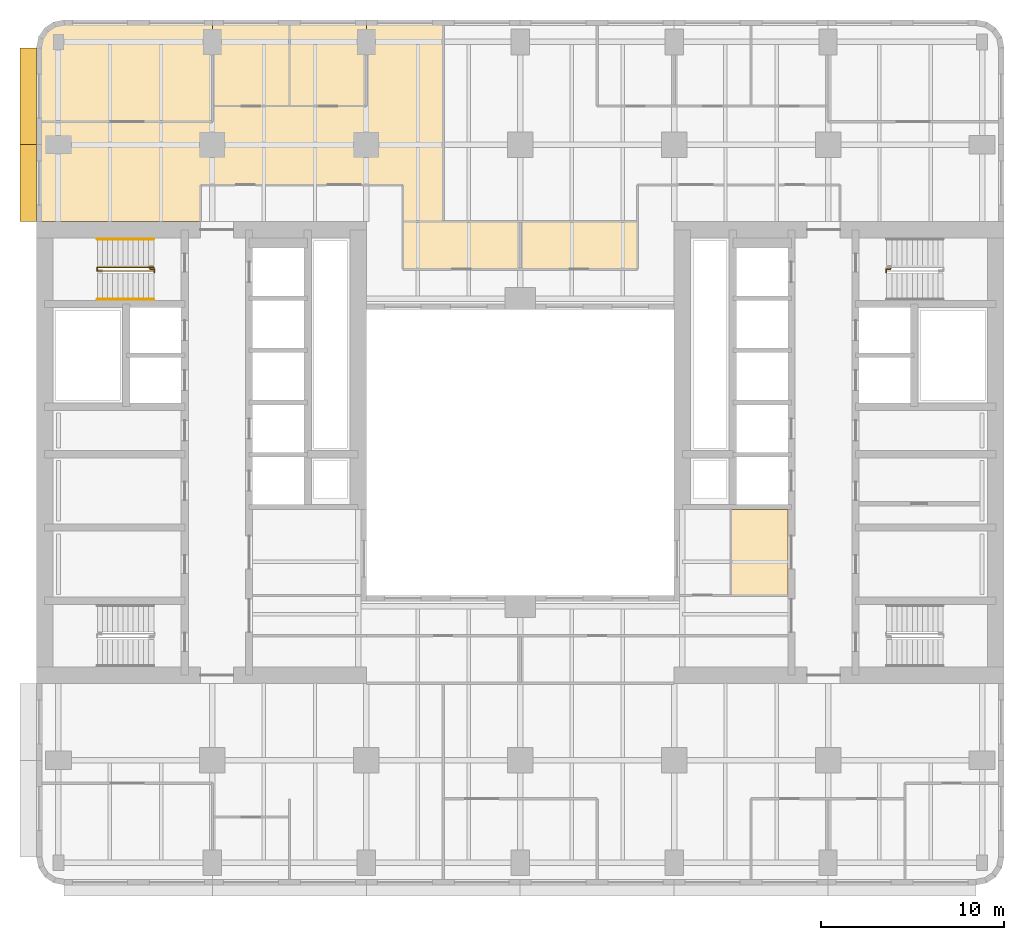
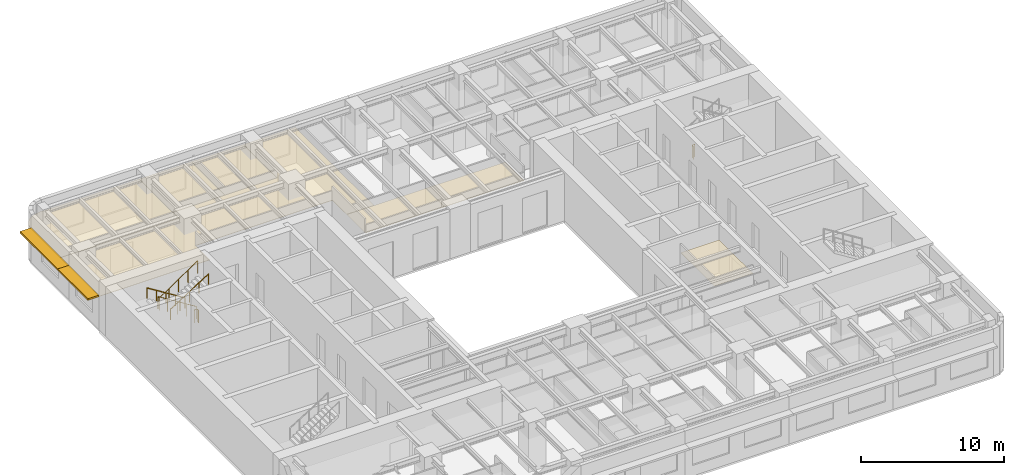
# One storey, part 10 of 11: 7 coverings, 5 railings, 2 shading devices.
"""IFC4 building model written with IfcOpenShell, lengths in metres."""

from ifc_helpers import new_model, si_unit, direction, frame, origin, origin_2d, place, context, subcontext, project, spatial, polyline, rectangle, circle, outline, extrude, material, layer, layer_set, type_object, element, save


model = new_model("IFC4")

# Units and contexts
model_context = context("Model", 3, precision=1e-05, world=origin(), true_north=direction((0.0, 1.0)))
body_context = subcontext(model_context, "Body", "Model", "MODEL_VIEW")
ifc_project = project(units=[si_unit("LENGTHUNIT", "METRE"), si_unit("AREAUNIT", "SQUARE_METRE"), si_unit("VOLUMEUNIT", "CUBIC_METRE"), si_unit("PLANEANGLEUNIT", "RADIAN"), si_unit("MASSUNIT", "GRAM", prefix="KILO")], contexts=[model_context])

# Site, building, storey
site_placement = place(None, origin())
site = spatial("IfcSite", under=ifc_project, at=site_placement, CompositionType="ELEMENT")
building_placement = place(site_placement, origin())
building = spatial("IfcBuilding", under=site, at=building_placement, Name="Claustro Exchange Tower", CompositionType="ELEMENT")
storey_placement = place(building_placement, frame((0.0, 0.0, 151.199951171875)))
storey = spatial("IfcBuildingStorey", under=building, at=storey_placement, Name="L34", CompositionType="ELEMENT", Elevation=151.199951171875)

# Coverings
ifc_material_1 = material(Name="Perforated metal ceiling tiles", Category="steel")
ifc_layer_1 = layer(ifc_material_1, 0.030029296875)
ifc_layer_set_1 = layer_set([ifc_layer_1], Name="Perforated metal ceiling tiles")
covering_type_1 = type_object("IfcCoveringType", Name="CL1 suspended metal ceiling", PredefinedType="CEILING", material=ifc_layer_set_1)
covering_1_placement = place(storey_placement, frame((0.0, 0.0, 2.800048828125)))
element("IfcCovering", 1, at=covering_1_placement, inside=storey, type_object=covering_type_1, Name="Ceiling CL1 L34-18", PredefinedType="CEILING", context=body_context, shape_type="SweptSolid", body=[
    extrude(outline(polyline([(-1.199951171875, 43.25), (-1.199951171875, 37.800048828125), (7.75, 37.800048828125), (7.75, 39.800048828125), (16.800048828125, 39.800048828125), (18.800048828125, 39.800048828125), (18.800048828125, 37.800048828125), (21.0, 37.800048828125), (21.0, 48.800048828125), (16.800048828125, 48.800048828125), (16.800048828125, 44.10009765625), (12.60009765625, 44.10009765625), (8.39990234375, 44.10009765625), (8.39990234375, 43.25), (-1.199951171875, 43.25)])), origin(), (0.0, 0.0, 1.0), 0.030029296875),
])
ifc_material_2 = material(Name="Gypsum board ceiling", Category="gypsum board")
ifc_layer_2 = layer(ifc_material_2, 0.02490234375)
ifc_layer_set_2 = layer_set([ifc_layer_2], Name="Gypsum board ceiling")
covering_type_2 = type_object("IfcCoveringType", Name="CL2 plasterboard ceiling", PredefinedType="CEILING", material=ifc_layer_set_2)
covering_2_placement = place(storey_placement, frame((0.0, 0.0, 2.800048828125)))
element("IfcCovering", 2, at=covering_2_placement, inside=storey, type_object=covering_type_2, Name="Ceiling CL2 L34-14", PredefinedType="CEILING", context=body_context, shape_type="SweptSolid", body=[
    extrude(outline(polyline([(39.800048828125, 17.39990234375), (39.800048828125, 22.10009765625), (36.699951171875, 22.10009765625), (36.699951171875, 17.39990234375), (39.800048828125, 17.39990234375)])), origin(), (0.0, 0.0, 1.0), 0.02490234375),
])
covering_3_placement = place(storey_placement, frame((0.0, 0.0, 2.800048828125)))
element("IfcCovering", 3, at=covering_3_placement, inside=storey, type_object=covering_type_2, Name="Ceiling CL2 L34-15", PredefinedType="CEILING", context=body_context, shape_type="SweptSolid", body=[
    extrude(outline(polyline([(18.800048828125, 35.199951171875), (25.199951171875, 35.199951171875), (25.199951171875, 37.800048828125), (18.800048828125, 37.800048828125), (18.800048828125, 35.199951171875)])), origin(), (0.0, 0.0, 1.0), 0.02490234375),
])
covering_4_placement = place(storey_placement, frame((0.0, 0.0, 2.800048828125)))
element("IfcCovering", 4, at=covering_4_placement, inside=storey, type_object=covering_type_2, Name="Ceiling CL2 L34-16", PredefinedType="CEILING", context=body_context, shape_type="SweptSolid", body=[
    extrude(outline(polyline([(25.199951171875, 35.199951171875), (31.60009765625, 35.199951171875), (31.60009765625, 37.800048828125), (25.199951171875, 37.800048828125), (25.199951171875, 35.199951171875)])), origin(), (0.0, 0.0, 1.0), 0.02490234375),
])
covering_5_placement = place(storey_placement, frame((0.0, 0.0, 2.800048828125)))
element("IfcCovering", 5, at=covering_5_placement, inside=storey, type_object=covering_type_2, Name="Ceiling CL2 L34-20", PredefinedType="CEILING", context=body_context, shape_type="SweptSolid", body=[
    extrude(outline(polyline([(-1.199951171875, 47.300048828125), (-1.199951171875, 43.25), (8.39990234375, 43.25), (8.39990234375, 48.800048828125), (0.300048828125, 48.800048828125), (-0.27392578125, 48.685791015625), (-0.7607421875, 48.360595703125), (-1.085693359375, 47.8740234375), (-1.199951171875, 47.300048828125)])), origin(), (0.0, 0.0, 1.0), 0.02490234375),
])
covering_6_placement = place(storey_placement, frame((0.0, 0.0, 2.800048828125)))
element("IfcCovering", 6, at=covering_6_placement, inside=storey, type_object=covering_type_2, Name="Ceiling CL2 L34-22", PredefinedType="CEILING", context=body_context, shape_type="SweptSolid", body=[
    extrude(outline(polyline([(12.60009765625, 48.800048828125), (8.39990234375, 48.800048828125), (8.39990234375, 44.10009765625), (12.60009765625, 44.10009765625), (12.60009765625, 48.800048828125)])), origin(), (0.0, 0.0, 1.0), 0.02490234375),
])
covering_7_placement = place(storey_placement, frame((0.0, 0.0, 2.800048828125)))
element("IfcCovering", 7, at=covering_7_placement, inside=storey, type_object=covering_type_2, Name="Ceiling CL2 L34-23", PredefinedType="CEILING", context=body_context, shape_type="SweptSolid", body=[
    extrude(outline(polyline([(16.800048828125, 48.800048828125), (12.60009765625, 48.800048828125), (12.60009765625, 44.10009765625), (16.800048828125, 44.10009765625), (16.800048828125, 48.800048828125)])), origin(), (0.0, 0.0, 1.0), 0.02490234375),
])

# Railings
ifc_material_3 = material(Name="Steel balustrade, painted", Category="steel")
railing_type_1 = type_object("IfcRailingType", Name="GR2 1100 steel stair guard", PredefinedType="GUARDRAIL", material=ifc_material_3)
railing_1_placement = place(storey_placement, frame((5.199951171875, 35.300048828125, 0.175048828125)))
element("IfcRailing", 8, at=railing_1_placement, inside=storey, type_object=railing_type_1, Name="Stair well guard GR2 stair STWB L34", PredefinedType="GUARDRAIL", context=body_context, shape_type="SweptSolid", body=[
    extrude(circle(Radius=0.02392578125, at=origin_2d()), frame((0.0, 0.0, 1.076171875), z_axis=(-0.847979421464, 0.0, 0.530029150871), x_axis=(0.0, -1.0, 0.0)), (0.0, 0.0, 1.0), 3.632080078125),
    extrude(circle(Radius=0.02392578125, at=origin_2d()), frame((-3.079833984375, 0.0, 3.0009765625), z_axis=(0.0, -1.0, 0.0), x_axis=(1.0, 0.0, 0.0)), (0.0, 0.0, 1.0), 0.199951171875),
    extrude(circle(Radius=0.02392578125, at=origin_2d()), frame((-3.079833984375, -0.199951171875, 3.0009765625), z_axis=(0.826231499792, 0.0, 0.563330727682), x_axis=(0.0, 1.0, 0.0)), (0.0, 0.0, 1.0), 3.7275390625),
    extrude(circle(Radius=0.02099609375, at=origin_2d()), origin(), (0.0, 0.0, 1.0), 1.052001953125),
    extrude(circle(Radius=0.02099609375, at=origin_2d()), frame((-0.77001953125, 0.0, 0.481201171875)), (0.0, 0.0, 1.0), 1.052001953125),
    extrude(circle(Radius=0.02099609375, at=origin_2d()), frame((-1.5400390625, 0.0, 0.96240234375)), (0.0, 0.0, 1.0), 1.052001953125),
    extrude(circle(Radius=0.02099609375, at=origin_2d()), frame((-2.309814453125, 0.0, 1.44384765625)), (0.0, 0.0, 1.0), 1.052001953125),
    extrude(circle(Radius=0.02099609375, at=origin_2d()), frame((-3.079833984375, 0.0, 1.925048828125)), (0.0, 0.0, 1.0), 1.052001953125),
    extrude(circle(Radius=0.02099609375, at=origin_2d()), frame((-3.079833984375, -0.199951171875, 1.925048828125)), (0.0, 0.0, 1.0), 1.052001953125),
    extrude(circle(Radius=0.02099609375, at=origin_2d()), frame((-2.309814453125, -0.199951171875, 2.449951171875)), (0.0, 0.0, 1.0), 1.052001953125),
    extrude(circle(Radius=0.02099609375, at=origin_2d()), frame((-1.5400390625, -0.199951171875, 2.97509765625)), (0.0, 0.0, 1.0), 1.052001953125),
    extrude(circle(Radius=0.02099609375, at=origin_2d()), frame((-0.77001953125, -0.199951171875, 3.5)), (0.0, 0.0, 1.0), 1.052001953125),
    extrude(circle(Radius=0.02099609375, at=origin_2d()), frame((0.0, -0.199951171875, 4.02490234375)), (0.0, 0.0, 1.0), 1.052001953125),
])
railing_2_placement = place(storey_placement, frame((5.0, 35.22998046875, 0.0)))
element("IfcRailing", 9, at=railing_2_placement, inside=storey, type_object=railing_type_1, Name="Stair guard GR2 STWB L34", PredefinedType="GUARDRAIL", context=body_context, shape_type="SweptSolid", body=[
    extrude(circle(Radius=0.02392578125, at=origin_2d()), frame((0.0, 0.0, 1.076171875), z_axis=(0.0, -1.0, 0.0), x_axis=(1.0, 0.0, 0.0)), (0.0, 0.0, 1.0), 0.030029296875),
    extrude(circle(Radius=0.02392578125, at=origin_2d()), frame((0.0, -0.030029296875, 1.076171875), z_axis=(1.0, 0.0, 0.0), x_axis=(0.0, 1.0, 0.0)), (0.0, 0.0, 1.0), 0.22509765625),
    extrude(circle(Radius=0.02392578125, at=origin_2d()), frame((0.22509765625, -0.030029296875, 1.076171875), z_axis=(0.0, -1.0, 0.0), x_axis=(1.0, 0.0, 0.0)), (0.0, 0.0, 1.0), 0.179931640625),
    extrude(circle(Radius=0.02099609375, at=origin_2d()), origin(), (0.0, 0.0, 1.0), 1.052001953125),
    extrude(circle(Radius=0.02099609375, at=origin_2d()), frame((0.0, -0.030029296875, 0.0)), (0.0, 0.0, 1.0), 1.052001953125),
    extrude(circle(Radius=0.02099609375, at=origin_2d()), frame((0.22509765625, -0.030029296875, 0.0)), (0.0, 0.0, 1.0), 1.052001953125),
    extrude(circle(Radius=0.02099609375, at=origin_2d()), frame((0.22509765625, -0.2099609375, 0.0)), (0.0, 0.0, 1.0), 1.052001953125),
])
railing_3_placement = place(storey_placement, frame((45.39990234375, 35.22998046875, 0.0)))
element("IfcRailing", 10, at=railing_3_placement, inside=storey, type_object=railing_type_1, Name="Stair guard GR2 STEB L34", PredefinedType="GUARDRAIL", context=body_context, shape_type="SweptSolid", body=[
    extrude(circle(Radius=0.02392578125, at=origin_2d()), frame((0.0, 0.0, 1.076171875), z_axis=(0.0, -1.0, 0.0), x_axis=(1.0, 0.0, 0.0)), (0.0, 0.0, 1.0), 0.030029296875),
    extrude(circle(Radius=0.02392578125, at=origin_2d()), frame((0.0, -0.030029296875, 1.076171875), z_axis=(-1.0, 0.0, 0.0), x_axis=(0.0, -1.0, 0.0)), (0.0, 0.0, 1.0), 0.224853515625),
    extrude(circle(Radius=0.02392578125, at=origin_2d()), frame((-0.224853515625, -0.030029296875, 1.076171875), z_axis=(0.0, -1.0, 0.0), x_axis=(1.0, 0.0, 0.0)), (0.0, 0.0, 1.0), 0.179931640625),
    extrude(circle(Radius=0.02099609375, at=origin_2d()), origin(), (0.0, 0.0, 1.0), 1.052001953125),
    extrude(circle(Radius=0.02099609375, at=origin_2d()), frame((0.0, -0.030029296875, 0.0)), (0.0, 0.0, 1.0), 1.052001953125),
    extrude(circle(Radius=0.02099609375, at=origin_2d()), frame((-0.224853515625, -0.030029296875, 0.0)), (0.0, 0.0, 1.0), 1.052001953125),
    extrude(circle(Radius=0.02099609375, at=origin_2d()), frame((-0.224853515625, -0.2099609375, 0.0)), (0.0, 0.0, 1.0), 1.052001953125),
])
ifc_material_4 = material(Name="Stainless steel tube", Category="steel")
railing_type_2 = type_object("IfcRailingType", Name="HR1 900 stair handrail", PredefinedType="HANDRAIL", material=ifc_material_4)
railing_4_placement = place(storey_placement, frame((5.199951171875, 36.840087890625, 0.175048828125)))
element("IfcRailing", 11, at=railing_4_placement, inside=storey, type_object=railing_type_2, Name="Handrail HR1 stair STWB L34", PredefinedType="HANDRAIL", context=body_context, shape_type="SweptSolid", body=[
    extrude(circle(Radius=0.02392578125, at=origin_2d()), frame((0.0, 0.0, 0.8759765625), z_axis=(-0.847979421464, 0.0, 0.530029150871), x_axis=(0.0, -1.0, 0.0)), (0.0, 0.0, 1.0), 3.632080078125),
    extrude(circle(Radius=0.02099609375, at=origin_2d()), origin(), (0.0, 0.0, 1.0), 0.851806640625),
    extrude(circle(Radius=0.02099609375, at=origin_2d()), frame((-0.77001953125, 0.0, 0.481201171875)), (0.0, 0.0, 1.0), 0.851806640625),
    extrude(circle(Radius=0.02099609375, at=origin_2d()), frame((-1.5400390625, 0.0, 0.96240234375)), (0.0, 0.0, 1.0), 0.851806640625),
    extrude(circle(Radius=0.02099609375, at=origin_2d()), frame((-2.309814453125, 0.0, 1.44384765625)), (0.0, 0.0, 1.0), 0.851806640625),
    extrude(circle(Radius=0.02099609375, at=origin_2d()), frame((-3.079833984375, 0.0, 1.925048828125)), (0.0, 0.0, 1.0), 0.851806640625),
])
railing_5_placement = place(storey_placement, frame((2.1201171875, 33.56005859375, 2.275146484375)))
element("IfcRailing", 12, at=railing_5_placement, inside=storey, type_object=railing_type_2, Name="Handrail HR1 stair STWB L34", PredefinedType="HANDRAIL", context=body_context, shape_type="SweptSolid", body=[
    extrude(circle(Radius=0.02392578125, at=origin_2d()), frame((0.0, 0.0, 0.8759765625), z_axis=(0.848009633417, 0.0, 0.529980812513), x_axis=(0.0, 1.0, 0.0)), (0.0, 0.0, 1.0), 3.6318359375),
    extrude(circle(Radius=0.02099609375, at=origin_2d()), origin(), (0.0, 0.0, 1.0), 0.851806640625),
    extrude(circle(Radius=0.02099609375, at=origin_2d()), frame((0.77001953125, 0.0, 0.481201171875)), (0.0, 0.0, 1.0), 0.851806640625),
    extrude(circle(Radius=0.02099609375, at=origin_2d()), frame((1.5400390625, 0.0, 0.96240234375)), (0.0, 0.0, 1.0), 0.851806640625),
    extrude(circle(Radius=0.02099609375, at=origin_2d()), frame((2.309814453125, 0.0, 1.443603515625)), (0.0, 0.0, 1.0), 0.851806640625),
    extrude(circle(Radius=0.02099609375, at=origin_2d()), frame((3.079833984375, 0.0, 1.9248046875)), (0.0, 0.0, 1.0), 0.851806640625),
])

# Shading devices
ifc_material_5 = material(Name="Concrete HA-40 (C40/50), precast, white cement, acid-etched", Category="concrete")
ifc_layer_3 = layer(ifc_material_5, 0.14990234375)
ifc_layer_set_3 = layer_set([ifc_layer_3], Name="Concrete HA-40 (C40/50), precast, white cement, acid-etched")
shading_device_type = type_object("IfcShadingDeviceType", Name="SS2 900 precast concrete SUNSHADE", PredefinedType="SHUTTER", material=ifc_layer_set_3)
shading_device_1_placement = place(storey_placement, frame((-1.64990234375, 39.89990234375, 2.800048828125), z_axis=(0.0, 0.0, 1.0), x_axis=(0.0, 1.0, 0.0)))
element("IfcShadingDevice", 13, at=shading_device_1_placement, inside=storey, type_object=shading_device_type, Name="Precast SUNSHADE SS2 L34", PredefinedType="SHUTTER", context=body_context, shape_type="SweptSolid", body=[
    extrude(rectangle(XDim=4.199951171875, YDim=0.89990234375, at=origin_2d()), origin(), (0.0, 0.0, 1.0), 0.14990234375),
])
shading_device_2_placement = place(storey_placement, frame((-1.64990234375, 44.642578125, 2.800048828125), z_axis=(0.0, 0.0, 1.0), x_axis=(0.0, 1.0, 0.0)))
element("IfcShadingDevice", 14, at=shading_device_2_placement, inside=storey, type_object=shading_device_type, Name="Precast SUNSHADE SS2 L34", PredefinedType="SHUTTER", context=body_context, shape_type="SweptSolid", body=[
    extrude(rectangle(XDim=5.28515625, YDim=0.89990234375, at=origin_2d()), origin(), (0.0, 0.0, 1.0), 0.14990234375),
])

save(model, "model.ifc")
